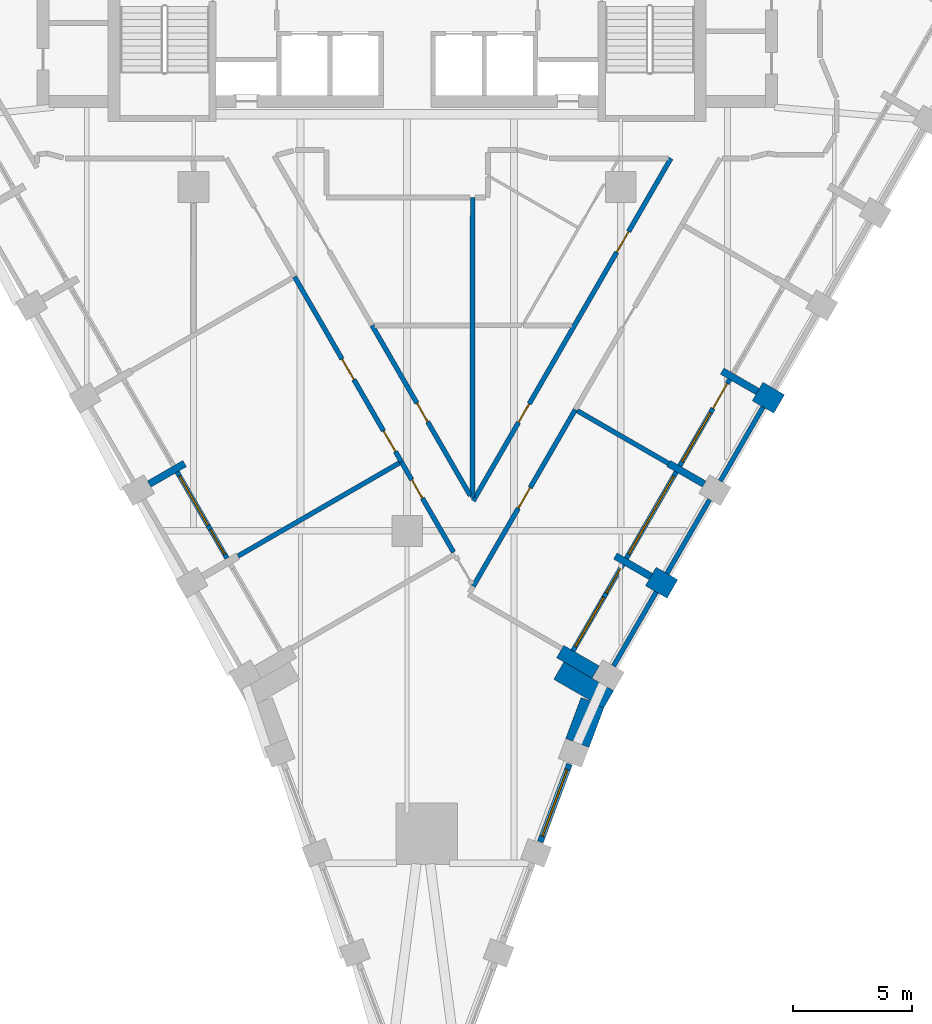
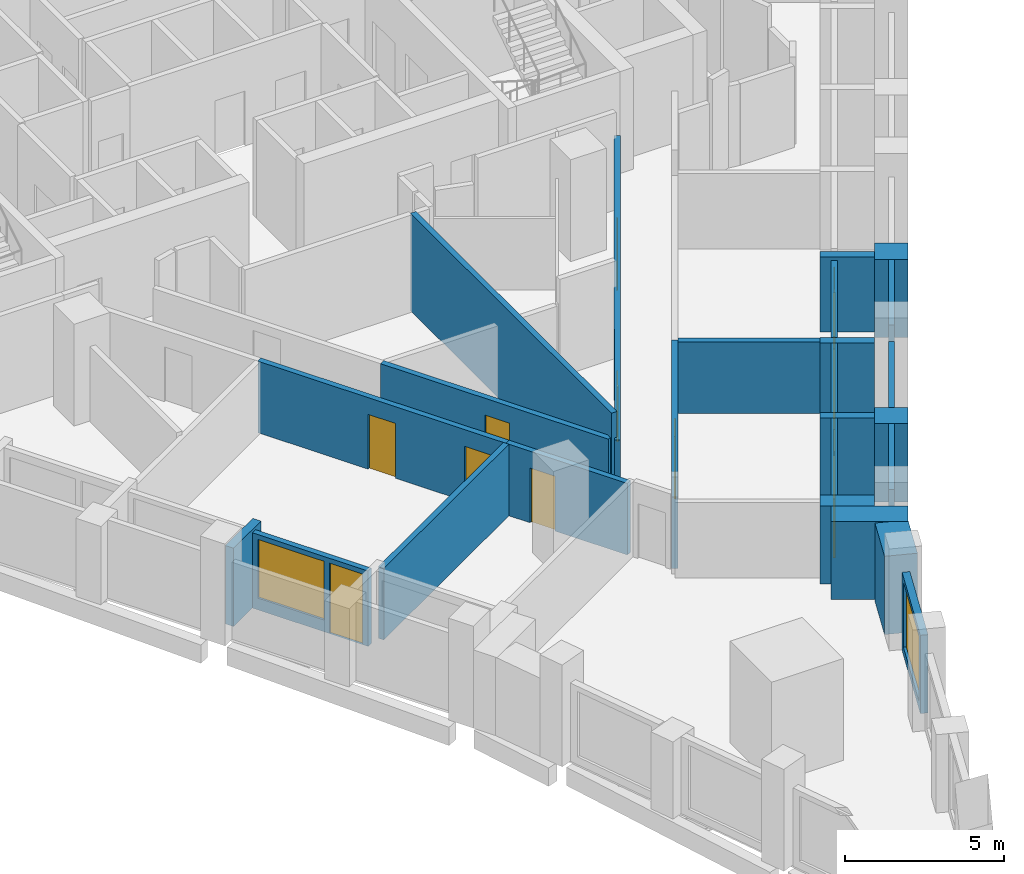
# One storey, part 3 of 9: 25 walls, 10 doors, 5 windows, 15 openings.
"""IFC4 building model written with IfcOpenShell, lengths in metres."""

from ifc_helpers import new_model, si_unit, direction, frame, frame_2d, origin, place, context, subcontext, project, spatial, polyline, rectangle, outline, extrude, material, layer, layer_set, type_object, element, fill, save


model = new_model("IFC4")

# Units and contexts
model_context = context("Model", 3, precision=1e-05, world=origin(), true_north=direction((0.0, 1.0)))
body_context = subcontext(model_context, "Body", "Model", "MODEL_VIEW")
ifc_project = project(units=[si_unit("LENGTHUNIT", "METRE"), si_unit("AREAUNIT", "SQUARE_METRE"), si_unit("VOLUMEUNIT", "CUBIC_METRE"), si_unit("PLANEANGLEUNIT", "RADIAN"), si_unit("MASSUNIT", "GRAM", prefix="KILO")], contexts=[model_context])

# Site, building, storey
site_placement = place(None, origin())
site = spatial("IfcSite", under=ifc_project, at=site_placement, CompositionType="ELEMENT")
building_placement = place(site_placement, origin())
building = spatial("IfcBuilding", under=site, at=building_placement, Name="Calabash Gate Tower", CompositionType="ELEMENT")
storey_placement = place(building_placement, frame((0.0, 0.0, 179.699951171875)))
storey = spatial("IfcBuildingStorey", under=building, at=storey_placement, Name="L42", CompositionType="ELEMENT", Elevation=179.699951171875)

# Walls
ifc_material_1 = material(Name="Terracotta brick masonry, exposed face", Category="masonry")
ifc_layer_1 = layer(ifc_material_1, 2.425048828125)
ifc_layer_set_1 = layer_set([ifc_layer_1], Name="Brick corner mass wall 2425")
wall_type_1 = type_object("IfcWallType", Name="Brick corner mass wall 2425", PredefinedType="SOLIDWALL", material=ifc_layer_set_1)
wall_1_placement = place(storey_placement, frame((8.489013671875, -19.102294921875, 0.0), z_axis=(0.0, 0.0, 1.0), x_axis=(-0.866041403502, 0.499972286653, 0.0)))
element("IfcWall", 1, at=wall_1_placement, inside=storey, type_object=wall_type_1, Name="Brick corner pier S12 2", PredefinedType="SOLIDWALL", context=body_context, shape_type="SweptSolid", body=[
    extrude(rectangle(XDim=2.425048828125, YDim=0.849609375, at=frame_2d((1.21240234375, 0.0))), origin(), (0.0, 0.0, 1.0), 3.0),
])
ifc_material_2 = material(Name="Terracotta brick masonry, exposed face", Category="masonry")
ifc_layer_2 = layer(ifc_material_2, 1.050048828125)
ifc_layer_set_2 = layer_set([ifc_layer_2], Name="Brick end wall 1050")
wall_type_2 = type_object("IfcWallType", Name="Brick end wall 1050", PredefinedType="SOLIDWALL", material=ifc_layer_set_2)
for number, where, z_axis, x_axis, name in (
    (2, (11.17626953125, -14.447509765625, 0.0), (0.0, 0.0, 1.0), (-0.866030680601, 0.499990860175, 0.0), "Brick pier S12 SE4.1"),
    (3, (15.67626953125, -6.6533203125, 0.0), (0.0, 0.0, 1.0), (-0.866030680601, 0.499990860175, 0.0), "Brick pier S12 SE4.3"),
):
    element("IfcWall", number, at=place(storey_placement, frame(where, z_axis=z_axis, x_axis=x_axis)), inside=storey, type_object=wall_type_2, Name=name, PredefinedType="SOLIDWALL", context=body_context, shape_type="SweptSolid", body=[
        extrude(rectangle(XDim=1.0498046875, YDim=0.89990234375, at=frame_2d((0.52490234375, 0.0))), origin(), (0.0, 0.0, 1.0), 3.0),
    ])
wall_2_placement = place(storey_placement, origin())
element("IfcWall", 4, at=wall_2_placement, inside=storey, type_object=wall_type_2, Name="Brick end wall S12 3", PredefinedType="SOLIDWALL", context=body_context, shape_type="SweptSolid", body=[
    extrude(outline(polyline([(7.330322265625, -19.023193359375), (6.68017578125, -20.753173828125), (7.6630859375, -21.12255859375), (8.298095703125, -19.432861328125), (8.276611328125, -19.47021484375), (7.82177734375, -19.207763671875), (7.330322265625, -19.023193359375)])), origin(), (0.0, 0.0, 1.0), 3.0),
])
ifc_material_3 = material(Name="Terracotta brick masonry, exposed face", Category="masonry")
ifc_layer_3 = layer(ifc_material_3, 0.300048828125)
ifc_layer_set_3 = layer_set([ifc_layer_3], Name="Brick loggia cheek wall 300")
wall_type_3 = type_object("IfcWallType", Name="Brick loggia cheek wall 300", PredefinedType="SOLIDWALL", material=ifc_layer_set_3)
wall_3_placement = place(storey_placement, frame((-9.37939453125, -9.1630859375, 0.0), z_axis=(0.0, 0.0, 1.0), x_axis=(-0.866074815912, -0.499914405916, 0.0)))
element("IfcWall", 5, at=wall_3_placement, inside=storey, type_object=wall_type_3, Name="Loggia cheek S12 SW0.6", PredefinedType="SOLIDWALL", context=body_context, shape_type="SweptSolid", body=[
    extrude(rectangle(XDim=1.724853515625, YDim=0.300048828125, at=frame_2d((0.8623046875, 0.0))), origin(), (0.0, 0.0, 1.0), 3.0),
])
wall_4_placement = place(storey_placement, frame((7.942138671875, -17.94970703125, 0.0), z_axis=(0.0, 0.0, 1.0), x_axis=(-0.866013532718, 0.500020560727, 0.0)))
element("IfcWall", 6, at=wall_4_placement, inside=storey, type_object=wall_type_3, Name="Loggia cheek S12 SE4.0", PredefinedType="SOLIDWALL", context=body_context, shape_type="SweptSolid", body=[
    extrude(rectangle(XDim=1.72509765625, YDim=0.60009765625, at=frame_2d((0.862548828125, 0.0))), origin(), (0.0, 0.0, 1.0), 3.0),
])
wall_5_placement = place(storey_placement, frame((10.26708984375, -13.922607421875, 0.0), z_axis=(0.0, 0.0, 1.0), x_axis=(-0.866013532718, 0.500020560727, 0.0)))
element("IfcWall", 7, at=wall_5_placement, inside=storey, type_object=wall_type_3, Name="Loggia cheek S12 SE4.1", PredefinedType="SOLIDWALL", context=body_context, shape_type="SweptSolid", body=[
    extrude(rectangle(XDim=1.72509765625, YDim=0.300048828125, at=frame_2d((0.862548828125, 0.0))), origin(), (0.0, 0.0, 1.0), 3.0),
])
wall_6_placement = place(storey_placement, frame((12.51708984375, -10.025634765625, 0.0), z_axis=(0.0, 0.0, 1.0), x_axis=(-0.866013532718, 0.500020560727, 0.0)))
element("IfcWall", 8, at=wall_6_placement, inside=storey, type_object=wall_type_3, Name="Loggia cheek S12 SE4.2", PredefinedType="SOLIDWALL", context=body_context, shape_type="SweptSolid", body=[
    extrude(rectangle(XDim=1.72509765625, YDim=0.300048828125, at=frame_2d((0.862548828125, 0.0))), origin(), (0.0, 0.0, 1.0), 2.74169921875),
])
wall_7_placement = place(storey_placement, frame((14.76708984375, -6.12841796875, 0.0), z_axis=(0.0, 0.0, 1.0), x_axis=(-0.866013532718, 0.500020560727, 0.0)))
element("IfcWall", 9, at=wall_7_placement, inside=storey, type_object=wall_type_3, Name="Loggia cheek S12 SE4.3", PredefinedType="SOLIDWALL", context=body_context, shape_type="SweptSolid", body=[
    extrude(rectangle(XDim=1.72509765625, YDim=0.300048828125, at=frame_2d((0.862548828125, 0.0))), origin(), (0.0, 0.0, 1.0), 2.884033203125),
])
ifc_material_4 = material(Name="Gypsum board on steel studs, mineral wool", Category="steel")
ifc_layer_4 = layer(ifc_material_4, 0.199951171875)
ifc_layer_set_4 = layer_set([ifc_layer_4], Name="Partition 200 gypsum board EI 60")
wall_type_4 = type_object("IfcWallType", Name="Partition 200 gypsum board EI 60", PredefinedType="PARTITIONING", material=ifc_layer_set_4)
wall_8_placement = place(storey_placement, frame((-7.12939453125, -13.060302734375, 0.0), z_axis=(0.0, 0.0, 1.0), x_axis=(0.866135346495, 0.499809525271, 0.0)))
element("IfcWall", 10, at=wall_8_placement, inside=storey, type_object=wall_type_4, Name="Partition", PredefinedType="PARTITIONING", context=body_context, shape_type="SweptSolid", body=[
    extrude(rectangle(XDim=7.84814453125, YDim=0.199951171875, at=frame_2d((3.924072265625, 0.0))), origin(), (0.0, 0.0, 1.0), 2.74169921875),
])

# Wall, openings, doors
wall_9_placement = place(storey_placement, frame((2.784912109375, -10.731689453125, 0.0), z_axis=(0.0, 0.0, 1.0), x_axis=(0.499820110187, 0.866129238309, 0.0)))
wall_9 = element("IfcWall", 11, at=wall_9_placement, inside=storey, type_object=wall_type_4, Name="Partition", PredefinedType="PARTITIONING", context=body_context, shape_type="SweptSolid", body=[
    extrude(rectangle(XDim=16.664306640625, YDim=0.199951171875, at=frame_2d((8.33203125, 0.0))), origin(), (0.0, 0.0, 1.0), 2.74169921875),
])
opening_1_placement = place(wall_9_placement, frame((3.817626953125, 0.0, 0.0)))
opening_1 = element("IfcOpeningElement", 12, at=opening_1_placement, cuts=wall_9, Name="Opening 42-44-008", PredefinedType="OPENING", context=body_context, shape_type="SweptSolid", body=[
    extrude(rectangle(XDim=0.89990234375, YDim=2.10009765625, at=frame_2d((0.449951171875, 1.050048828125))), frame((0.0, 0.10986328125, 0.0), z_axis=(0.0, -1.0, 0.0), x_axis=(1.0, 0.0, 0.0)), (0.0, 0.0, 1.0), 0.219970703125),
])
opening_2_placement = place(wall_9_placement, frame((12.099853515625, 0.0, 0.0)))
opening_2 = element("IfcOpeningElement", 13, at=opening_2_placement, cuts=wall_9, Name="Opening 42-44-014", PredefinedType="OPENING", context=body_context, shape_type="SweptSolid", body=[
    extrude(rectangle(XDim=1.0, YDim=2.10009765625, at=frame_2d((0.5, 1.050048828125))), frame((0.0, 0.10986328125, 0.0), z_axis=(0.0, -1.0, 0.0), x_axis=(1.0, 0.0, 0.0)), (0.0, 0.0, 1.0), 0.219970703125),
])
ifc_material_5 = material(Name="Steel fire door set with fire-resisting glazing", Category="steel")
door_type_1 = type_object("IfcDoorType", Name="SD3 Store door 900x2100", OperationType="NOTDEFINED", PredefinedType="DOOR", material=ifc_material_5)
door_1_placement = place(opening_1_placement, origin())
door_1 = element("IfcDoor", 14, at=door_1_placement, inside=storey, type_object=door_type_1, Name="Store door", OperationType="SINGLE_SWING_LEFT", OverallHeight=2.10009765625, OverallWidth=0.89990234375, PredefinedType="DOOR", context=body_context, shape_type="SweptSolid", body=[
    extrude(rectangle(XDim=0.89990234375, YDim=2.10009765625, at=frame_2d((0.449951171875, 1.050048828125))), frame((0.0, 0.02490234375, 0.0), z_axis=(0.0, -1.0, 0.0), x_axis=(1.0, 0.0, 0.0)), (0.0, 0.0, 1.0), 0.050048828125),
])
fill(opening_1, door_1)
ifc_material_6 = material(Name="Steel fire door set with fire-resisting glazing", Category="steel")
door_type_2 = type_object("IfcDoorType", Name="WD3 WC lobby door 1000x2100", OperationType="NOTDEFINED", PredefinedType="DOOR", material=ifc_material_6)
door_2_placement = place(opening_2_placement, origin())
door_2 = element("IfcDoor", 15, at=door_2_placement, inside=storey, type_object=door_type_2, Name="WC lobby door", OperationType="SINGLE_SWING_RIGHT", OverallHeight=2.10009765625, OverallWidth=1.0, PredefinedType="DOOR", context=body_context, shape_type="SweptSolid", body=[
    extrude(rectangle(XDim=1.0, YDim=2.10009765625, at=frame_2d((0.5, 1.050048828125))), frame((0.0, 0.02490234375, 0.0), z_axis=(0.0, -1.0, 0.0), x_axis=(1.0, 0.0, 0.0)), (0.0, 0.0, 1.0), 0.050048828125),
])
fill(opening_2, door_2)

wall_10_placement = place(storey_placement, frame((-4.746337890625, -1.2919921875, 0.0), z_axis=(0.0, 0.0, 1.0), x_axis=(0.5000018851, -0.866024315419, 0.0)))
wall_10 = element("IfcWall", 16, at=wall_10_placement, inside=storey, type_object=wall_type_4, Name="Partition", PredefinedType="PARTITIONING", context=body_context, shape_type="SweptSolid", body=[
    extrude(rectangle(XDim=9.0, YDim=0.199951171875, at=frame_2d((4.5, 0.0))), origin(), (0.0, 0.0, 1.0), 2.74169921875),
])
opening_3_placement = place(wall_10_placement, frame((4.0, 0.0, 0.0)))
opening_3 = element("IfcOpeningElement", 17, at=opening_3_placement, cuts=wall_10, Name="Opening 42-44-001", PredefinedType="OPENING", context=body_context, shape_type="SweptSolid", body=[
    extrude(rectangle(XDim=1.0, YDim=2.10009765625, at=frame_2d((0.5, 1.050048828125))), frame((0.0, 0.10986328125, 0.0), z_axis=(0.0, -1.0, 0.0), x_axis=(1.0, 0.0, 0.0)), (0.0, 0.0, 1.0), 0.219970703125),
])
opening_4_placement = place(wall_10_placement, frame((7.501708984375, 0.0, 0.0)))
opening_4 = element("IfcOpeningElement", 18, at=opening_4_placement, cuts=wall_10, Name="Opening 42-44-002", PredefinedType="OPENING", context=body_context, shape_type="SweptSolid", body=[
    extrude(rectangle(XDim=1.0, YDim=2.10009765625, at=frame_2d((0.5, 1.050048828125))), frame((0.0, 0.10986328125, 0.0), z_axis=(0.0, -1.0, 0.0), x_axis=(1.0, 0.0, 0.0)), (0.0, 0.0, 1.0), 0.219970703125),
])
ifc_material_7 = material(Name="Steel fire door set with fire-resisting glazing", Category="steel")
door_type_3 = type_object("IfcDoorType", Name="LD2 Meeting room door 1000x2100", OperationType="NOTDEFINED", PredefinedType="DOOR", material=ifc_material_7)
door_3_placement = place(opening_3_placement, origin())
door_3 = element("IfcDoor", 19, at=door_3_placement, inside=storey, type_object=door_type_3, Name="Meeting room door", OperationType="SINGLE_SWING_RIGHT", OverallHeight=2.10009765625, OverallWidth=1.0, PredefinedType="DOOR", context=body_context, shape_type="SweptSolid", body=[
    extrude(rectangle(XDim=1.0, YDim=2.10009765625, at=frame_2d((0.5, 1.050048828125))), frame((0.0, 0.02490234375, 0.0), z_axis=(0.0, -1.0, 0.0), x_axis=(1.0, 0.0, 0.0)), (0.0, 0.0, 1.0), 0.050048828125),
])
fill(opening_3, door_3)
door_4_placement = place(opening_4_placement, origin())
door_4 = element("IfcDoor", 20, at=door_4_placement, inside=storey, type_object=door_type_3, Name="Meeting room door", OperationType="SINGLE_SWING_RIGHT", OverallHeight=2.10009765625, OverallWidth=1.0, PredefinedType="DOOR", context=body_context, shape_type="SweptSolid", body=[
    extrude(rectangle(XDim=1.0, YDim=2.10009765625, at=frame_2d((0.5, 1.050048828125))), frame((0.0, 0.02490234375, 0.0), z_axis=(0.0, -1.0, 0.0), x_axis=(1.0, 0.0, 0.0)), (0.0, 0.0, 1.0), 0.050048828125),
])
fill(opening_4, door_4)

# Wall, opening, door
wall_11_placement = place(storey_placement, frame((-0.245361328125, -9.087890625, 0.0), z_axis=(0.0, 0.0, 1.0), x_axis=(0.500013981145, -0.866017331616, 0.0)))
wall_11 = element("IfcWall", 21, at=wall_11_placement, inside=storey, type_object=wall_type_4, Name="Partition", PredefinedType="PARTITIONING", context=body_context, shape_type="SweptSolid", body=[
    extrude(rectangle(XDim=4.397705078125, YDim=0.199951171875, at=frame_2d((2.19873046875, 0.0))), origin(), (0.0, 0.0, 1.0), 2.74169921875),
])
opening_5_placement = place(wall_11_placement, frame((0.871337890625, 0.0, 0.0)))
opening_5 = element("IfcOpeningElement", 22, at=opening_5_placement, cuts=wall_11, Name="Opening 42-44-003", PredefinedType="OPENING", context=body_context, shape_type="SweptSolid", body=[
    extrude(rectangle(XDim=0.89990234375, YDim=2.10009765625, at=frame_2d((0.449951171875, 1.050048828125))), frame((0.0, 0.10986328125, 0.0), z_axis=(0.0, -1.0, 0.0), x_axis=(1.0, 0.0, 0.0)), (0.0, 0.0, 1.0), 0.219970703125),
])
door_5_placement = place(opening_5_placement, origin())
door_5 = element("IfcDoor", 23, at=door_5_placement, inside=storey, type_object=door_type_1, Name="Store door", OperationType="SINGLE_SWING_RIGHT", OverallHeight=2.10009765625, OverallWidth=0.89990234375, PredefinedType="DOOR", context=body_context, shape_type="SweptSolid", body=[
    extrude(rectangle(XDim=0.89990234375, YDim=2.10009765625, at=frame_2d((0.449951171875, 1.050048828125))), frame((0.0, 0.02490234375, 0.0), z_axis=(0.0, -1.0, 0.0), x_axis=(1.0, 0.0, 0.0)), (0.0, 0.0, 1.0), 0.050048828125),
])
fill(opening_5, door_5)

# Wall
wall_12_placement = place(storey_placement, frame((7.17041015625, -6.936279296875, 0.0), z_axis=(0.0, 0.0, 1.0), x_axis=(0.865815424907, -0.500363517848, 0.0)))
element("IfcWall", 24, at=wall_12_placement, inside=storey, type_object=wall_type_4, Name="Partition", PredefinedType="PARTITIONING", context=body_context, shape_type="SweptSolid", body=[
    extrude(rectangle(XDim=4.449951171875, YDim=0.199951171875, at=frame_2d((2.22509765625, 0.0))), origin(), (0.0, 0.0, 1.0), 2.74169921875),
])

# Wall, opening, door
wall_13_placement = place(storey_placement, frame((2.784423828125, -14.332763671875, 0.0), z_axis=(0.0, 0.0, 1.0), x_axis=(0.500204257301, 0.865907443656, 0.0)))
wall_13 = element("IfcWall", 25, at=wall_13_placement, inside=storey, type_object=wall_type_4, Name="Partition", PredefinedType="PARTITIONING", context=body_context, shape_type="SweptSolid", body=[
    extrude(rectangle(XDim=8.5966796875, YDim=0.199951171875, at=frame_2d((4.29833984375, 0.0))), origin(), (0.0, 0.0, 1.0), 2.74169921875),
])
opening_6_placement = place(wall_13_placement, frame((3.798583984375, 0.0, 0.0)))
opening_6 = element("IfcOpeningElement", 26, at=opening_6_placement, cuts=wall_13, Name="Opening 42-44-004", PredefinedType="OPENING", context=body_context, shape_type="SweptSolid", body=[
    extrude(rectangle(XDim=1.0, YDim=2.39990234375, at=frame_2d((0.5, 1.199951171875))), frame((0.0, 0.10986328125, 0.0), z_axis=(0.0, -1.0, 0.0), x_axis=(1.0, 0.0, 0.0)), (0.0, 0.0, 1.0), 0.219970703125),
])
ifc_material_8 = material(Name="Painted timber door", Category="wood")
door_type_4 = type_object("IfcDoorType", Name="OD2 Glazed office door 1000x2400", OperationType="NOTDEFINED", PredefinedType="DOOR", material=ifc_material_8)
door_6_placement = place(opening_6_placement, origin())
door_6 = element("IfcDoor", 27, at=door_6_placement, inside=storey, type_object=door_type_4, Name="Glazed office door", OperationType="SINGLE_SWING_LEFT", OverallHeight=2.39990234375, OverallWidth=1.0, PredefinedType="DOOR", context=body_context, shape_type="SweptSolid", body=[
    extrude(rectangle(XDim=1.0, YDim=2.39990234375, at=frame_2d((0.5, 1.199951171875))), frame((0.0, 0.02490234375, 0.0), z_axis=(0.0, -1.0, 0.0), x_axis=(1.0, 0.0, 0.0)), (0.0, 0.0, 1.0), 0.050048828125),
])
fill(opening_6, door_6)

wall_14_placement = place(storey_placement, frame((-1.479736328125, -3.341796875, 0.0), z_axis=(0.0, 0.0, 1.0), x_axis=(0.499828066166, -0.866124647076, 0.0)))
wall_14 = element("IfcWall", 28, at=wall_14_placement, inside=storey, type_object=wall_type_4, Name="Partition", PredefinedType="PARTITIONING", context=body_context, shape_type="SweptSolid", body=[
    extrude(rectangle(XDim=8.271484375, YDim=0.199951171875, at=frame_2d((4.1357421875, 0.0))), origin(), (0.0, 0.0, 1.0), 2.74169921875),
])
opening_7_placement = place(wall_14_placement, frame((3.783935546875, 0.0, 0.0)))
opening_7 = element("IfcOpeningElement", 29, at=opening_7_placement, cuts=wall_14, Name="Opening 42-44-007", PredefinedType="OPENING", context=body_context, shape_type="SweptSolid", body=[
    extrude(rectangle(XDim=0.89990234375, YDim=2.10009765625, at=frame_2d((0.449951171875, 1.050048828125))), frame((0.0, 0.10986328125, 0.0), z_axis=(0.0, -1.0, 0.0), x_axis=(1.0, 0.0, 0.0)), (0.0, 0.0, 1.0), 0.219970703125),
])
door_7_placement = place(opening_7_placement, origin())
door_7 = element("IfcDoor", 30, at=door_7_placement, inside=storey, type_object=door_type_1, Name="Store door", OperationType="SINGLE_SWING_RIGHT", OverallHeight=2.10009765625, OverallWidth=0.89990234375, PredefinedType="DOOR", context=body_context, shape_type="SweptSolid", body=[
    extrude(rectangle(XDim=0.89990234375, YDim=2.10009765625, at=frame_2d((0.449951171875, 1.050048828125))), frame((0.0, 0.02490234375, 0.0), z_axis=(0.0, -1.0, 0.0), x_axis=(1.0, 0.0, 0.0)), (0.0, 0.0, 1.0), 0.050048828125),
])
fill(opening_7, door_7)

# Wall
wall_15_placement = place(storey_placement, frame((2.75439453125, -10.58447265625, 0.0), z_axis=(0.0, 0.0, 1.0), x_axis=(0.00025119316, 0.999999968451, 0.0)))
element("IfcWall", 31, at=wall_15_placement, inside=storey, type_object=wall_type_4, Name="Partition", PredefinedType="PARTITIONING", context=body_context, shape_type="SweptSolid", body=[
    extrude(rectangle(XDim=12.635009765625, YDim=0.199951171875, at=frame_2d((6.3173828125, 0.0))), origin(), (0.0, 0.0, 1.0), 3.72998046875),
])

# Wall, opening, window
ifc_material_9 = material(Name="Aluminium framed window wall with insulated spandrel", Category="aluminium")
ifc_layer_5 = layer(ifc_material_9, 0.25)
ifc_layer_set_5 = layer_set([ifc_layer_5], Name="Prow window wall 250")
wall_type_5 = type_object("IfcWallType", Name="Prow window wall 250", PredefinedType="ELEMENTEDWALL", material=ifc_layer_set_5)
wall_16_placement = place(storey_placement, frame((5.60595703125, -25.103271484375, 0.0), z_axis=(0.0, 0.0, 1.0), x_axis=(0.351849563443, 0.936056560634, 0.0)))
wall_16 = element("IfcWall", 32, at=wall_16_placement, inside=storey, type_object=wall_type_5, Name="Prow window wall S12 wedge3.3", PredefinedType="ELEMENTEDWALL", context=body_context, shape_type="SweptSolid", body=[
    extrude(rectangle(XDim=3.5, YDim=0.25, at=frame_2d((1.75, 0.0))), origin(), (0.0, 0.0, 1.0), 3.0),
])
opening_8_placement = place(wall_16_placement, frame((0.25, 0.0, 0.300048828125)))
opening_8 = element("IfcOpeningElement", 33, at=opening_8_placement, cuts=wall_16, Name="Opening WP2", PredefinedType="OPENING", context=body_context, shape_type="SweptSolid", body=[
    extrude(rectangle(XDim=3.0, YDim=2.5, at=frame_2d((1.5, 1.25))), frame((0.0, 0.135009765625, 0.0), z_axis=(0.0, -1.0, 0.0), x_axis=(1.0, 0.0, 0.0)), (0.0, 0.0, 1.0), 0.27001953125),
])
ifc_material_10 = material(Name="Anodised aluminium frame, bronze finish, impact-rated laminated clear glazing", Category="aluminium")
window_type_1 = type_object("IfcWindowType", Name="Window WP2 3000x2500", PartitioningType="DOUBLE_PANEL_VERTICAL", PredefinedType="WINDOW", material=ifc_material_10)
window_1_placement = place(opening_8_placement, origin())
window_1 = element("IfcWindow", 34, at=window_1_placement, inside=storey, type_object=window_type_1, Name="Prow window WP2 S12 wedge3.3", OverallHeight=2.5, OverallWidth=3.0, PartitioningType="SINGLE_PANEL", PredefinedType="WINDOW", context=body_context, shape_type="SweptSolid", body=[
    extrude(rectangle(XDim=3.0, YDim=2.5, at=frame_2d((1.5, 1.25))), frame((0.0, 0.030029296875, 0.0), z_axis=(0.0, -1.0, 0.0), x_axis=(1.0, 0.0, 0.0)), (0.0, 0.0, 1.0), 0.06005859375),
])
fill(opening_8, window_1)

# Walls
ifc_material_11 = material(Name="Terracotta brick masonry, perforated", Category="masonry")
ifc_layer_6 = layer(ifc_material_11, 0.199951171875)
ifc_layer_set_6 = layer_set([ifc_layer_6], Name="Terracotta jaali screen B")
wall_type_6 = type_object("IfcWallType", Name="Terracotta jaali screen B", PredefinedType="SOLIDWALL", material=ifc_layer_set_6)
for number, where, z_axis, x_axis, name in (
    (35, (8.69677734375, -17.692626953125, 0.0), (0.0, 0.0, 1.0), (0.499961193289, 0.866047807691, 0.0), "SCREEN B S12 SE4.1"),
    (36, (10.94677734375, -13.79541015625, 0.0), (0.0, 0.0, 1.0), (0.499961193289, 0.866047807691, 0.0), "SCREEN B S12 SE4.2"),
    (37, (13.19677734375, -9.898193359375, 0.0), (0.0, 0.0, 1.0), (0.499961193289, 0.866047807691, 0.0), "SCREEN B S12 SE4.3"),
):
    element("IfcWall", number, at=place(storey_placement, frame(where, z_axis=z_axis, x_axis=x_axis)), inside=storey, type_object=wall_type_6, Name=name, PredefinedType="SOLIDWALL", context=body_context, shape_type="SweptSolid", body=[
        extrude(rectangle(XDim=3.599853515625, YDim=0.199951171875, at=frame_2d((1.7998046875, 0.0))), origin(), (0.0, 0.0, 1.0), 3.0),
    ])

# Wall, openings, door, window
ifc_material_12 = material(Name="Aluminium framed window wall with insulated spandrel", Category="aluminium")
ifc_layer_7 = layer(ifc_material_12, 0.199951171875)
ifc_layer_set_7 = layer_set([ifc_layer_7], Name="Window wall 200")
wall_type_7 = type_object("IfcWallType", Name="Window wall 200", PredefinedType="ELEMENTEDWALL", material=ifc_layer_set_7)
wall_17_placement = place(storey_placement, frame((-9.694091796875, -9.517822265625, 0.0), z_axis=(0.0, 0.0, 1.0), x_axis=(0.499958946799, -0.866049104564, 0.0)))
wall_17 = element("IfcWall", 38, at=wall_17_placement, inside=storey, type_object=wall_type_7, Name="Window wall S12 SW0.7", PredefinedType="ELEMENTEDWALL", context=body_context, shape_type="SweptSolid", body=[
    extrude(rectangle(XDim=4.199951171875, YDim=0.199951171875, at=frame_2d((2.10009765625, 0.0))), origin(), (0.0, 0.0, 1.0), 2.884033203125),
])
opening_9_placement = place(wall_17_placement, frame((0.199951171875, 0.0, 0.449951171875)))
opening_9 = element("IfcOpeningElement", 39, at=opening_9_placement, cuts=wall_17, Name="Opening OW1", PredefinedType="OPENING", context=body_context, shape_type="SweptSolid", body=[
    extrude(rectangle(XDim=2.39990234375, YDim=2.25, at=frame_2d((1.199951171875, 1.125))), frame((0.0, 0.10986328125, 0.0), z_axis=(0.0, -1.0, 0.0), x_axis=(1.0, 0.0, 0.0)), (0.0, 0.0, 1.0), 0.219970703125),
])
opening_10_placement = place(wall_17_placement, frame((2.800048828125, 0.0, 0.0)))
opening_10 = element("IfcOpeningElement", 40, at=opening_10_placement, cuts=wall_17, Name="Opening O4-028", PredefinedType="OPENING", context=body_context, shape_type="SweptSolid", body=[
    extrude(rectangle(XDim=1.199951171875, YDim=2.699951171875, at=frame_2d((0.60009765625, 1.35009765625))), frame((0.0, 0.10986328125, 0.0), z_axis=(0.0, -1.0, 0.0), x_axis=(1.0, 0.0, 0.0)), (0.0, 0.0, 1.0), 0.219970703125),
])
ifc_material_13 = material(Name="Anodised aluminium frame, bronze finish, impact-rated laminated clear glazing", Category="aluminium")
door_type_5 = type_object("IfcDoorType", Name="Loggia door DO1 1200x2700", OperationType="SLIDING_TO_LEFT", PredefinedType="DOOR", material=ifc_material_13)
door_8_placement = place(opening_10_placement, origin())
door_8 = element("IfcDoor", 41, at=door_8_placement, inside=storey, type_object=door_type_5, Name="Loggia door S12 SW0.7", OperationType="SINGLE_SWING_LEFT", OverallHeight=2.699951171875, OverallWidth=1.199951171875, PredefinedType="DOOR", context=body_context, shape_type="SweptSolid", body=[
    extrude(rectangle(XDim=1.199951171875, YDim=2.699951171875, at=frame_2d((0.60009765625, 1.35009765625))), frame((0.0, 0.02490234375, 0.0), z_axis=(0.0, -1.0, 0.0), x_axis=(1.0, 0.0, 0.0)), (0.0, 0.0, 1.0), 0.050048828125),
])
fill(opening_10, door_8)
ifc_material_14 = material(Name="Anodised aluminium frame, bronze finish, impact-rated laminated clear glazing", Category="aluminium")
window_type_2 = type_object("IfcWindowType", Name="Window OW1 2400x2250", PartitioningType="DOUBLE_PANEL_VERTICAL", PredefinedType="WINDOW", material=ifc_material_14)
window_2_placement = place(opening_9_placement, origin())
window_2 = element("IfcWindow", 42, at=window_2_placement, inside=storey, type_object=window_type_2, Name="Window OW1 S12 SW0.7", OverallHeight=2.25, OverallWidth=2.39990234375, PartitioningType="SINGLE_PANEL", PredefinedType="WINDOW", context=body_context, shape_type="SweptSolid", body=[
    extrude(rectangle(XDim=2.39990234375, YDim=2.25, at=frame_2d((1.199951171875, 1.125))), frame((0.0, 0.030029296875, 0.0), z_axis=(0.0, -1.0, 0.0), x_axis=(1.0, 0.0, 0.0)), (0.0, 0.0, 1.0), 0.06005859375),
])
fill(opening_9, window_2)

wall_18_placement = place(storey_placement, frame((6.98779296875, -17.05224609375, 0.0), z_axis=(0.0, 0.0, 1.0), x_axis=(0.500027713859, 0.866009402589, 0.0)))
wall_18 = element("IfcWall", 43, at=wall_18_placement, inside=storey, type_object=wall_type_7, Name="Window wall S12 SE4.1", PredefinedType="ELEMENTEDWALL", context=body_context, shape_type="SweptSolid", body=[
    extrude(rectangle(XDim=4.199951171875, YDim=0.199951171875, at=frame_2d((2.10009765625, 0.0))), origin(), (0.0, 0.0, 1.0), 3.0),
])
opening_11_placement = place(wall_18_placement, frame((0.199951171875, 0.0, 0.449951171875)))
opening_11 = element("IfcOpeningElement", 44, at=opening_11_placement, cuts=wall_18, Name="Opening OW1", PredefinedType="OPENING", context=body_context, shape_type="SweptSolid", body=[
    extrude(rectangle(XDim=2.39990234375, YDim=2.25, at=frame_2d((1.199951171875, 1.125))), frame((0.0, 0.10986328125, 0.0), z_axis=(0.0, -1.0, 0.0), x_axis=(1.0, 0.0, 0.0)), (0.0, 0.0, 1.0), 0.219970703125),
])
opening_12_placement = place(wall_18_placement, frame((2.800048828125, 0.0, 0.0)))
opening_12 = element("IfcOpeningElement", 45, at=opening_12_placement, cuts=wall_18, Name="Opening O4-021", PredefinedType="OPENING", context=body_context, shape_type="SweptSolid", body=[
    extrude(rectangle(XDim=1.199951171875, YDim=2.699951171875, at=frame_2d((0.60009765625, 1.35009765625))), frame((0.0, 0.10986328125, 0.0), z_axis=(0.0, -1.0, 0.0), x_axis=(1.0, 0.0, 0.0)), (0.0, 0.0, 1.0), 0.219970703125),
])
door_9_placement = place(opening_12_placement, origin())
door_9 = element("IfcDoor", 46, at=door_9_placement, inside=storey, type_object=door_type_5, Name="Loggia door S12 SE4.1", OperationType="SINGLE_SWING_LEFT", OverallHeight=2.699951171875, OverallWidth=1.199951171875, PredefinedType="DOOR", context=body_context, shape_type="SweptSolid", body=[
    extrude(rectangle(XDim=1.199951171875, YDim=2.699951171875, at=frame_2d((0.60009765625, 1.35009765625))), frame((0.0, 0.02490234375, 0.0), z_axis=(0.0, -1.0, 0.0), x_axis=(1.0, 0.0, 0.0)), (0.0, 0.0, 1.0), 0.050048828125),
])
fill(opening_12, door_9)
window_3_placement = place(opening_11_placement, origin())
window_3 = element("IfcWindow", 47, at=window_3_placement, inside=storey, type_object=window_type_2, Name="Window OW1 S12 SE4.1", OverallHeight=2.25, OverallWidth=2.39990234375, PartitioningType="SINGLE_PANEL", PredefinedType="WINDOW", context=body_context, shape_type="SweptSolid", body=[
    extrude(rectangle(XDim=2.39990234375, YDim=2.25, at=frame_2d((1.199951171875, 1.125))), frame((0.0, 0.030029296875, 0.0), z_axis=(0.0, -1.0, 0.0), x_axis=(1.0, 0.0, 0.0)), (0.0, 0.0, 1.0), 0.06005859375),
])
fill(opening_11, window_3)

# Wall, opening, window
wall_19_placement = place(storey_placement, frame((9.23779296875, -13.1552734375, 0.0), z_axis=(0.0, 0.0, 1.0), x_axis=(0.500002543286, 0.866023935413, 0.0)))
wall_19 = element("IfcWall", 48, at=wall_19_placement, inside=storey, type_object=wall_type_7, Name="Window wall S12 SE4.2", PredefinedType="ELEMENTEDWALL", context=body_context, shape_type="SweptSolid", body=[
    extrude(rectangle(XDim=4.2001953125, YDim=0.199951171875, at=frame_2d((2.10009765625, 0.0))), origin(), (0.0, 0.0, 1.0), 2.74169921875),
])
opening_13_placement = place(wall_19_placement, frame((0.199951171875, 0.0, 0.449951171875)))
opening_13 = element("IfcOpeningElement", 49, at=opening_13_placement, cuts=wall_19, Name="Opening OW2L-2190", PredefinedType="OPENING", context=body_context, shape_type="SweptSolid", body=[
    extrude(rectangle(XDim=3.800048828125, YDim=2.18994140625, at=frame_2d((1.89990234375, 1.094970703125))), frame((0.0, 0.10986328125, 0.0), z_axis=(0.0, -1.0, 0.0), x_axis=(1.0, 0.0, 0.0)), (0.0, 0.0, 1.0), 0.219970703125),
])
ifc_material_15 = material(Name="Anodised aluminium frame, bronze finish, impact-rated laminated clear glazing", Category="aluminium")
window_type_3 = type_object("IfcWindowType", Name="Window OW2L 3800x2190", PartitioningType="TRIPLE_PANEL_VERTICAL", PredefinedType="WINDOW", material=ifc_material_15)
window_4_placement = place(opening_13_placement, origin())
window_4 = element("IfcWindow", 50, at=window_4_placement, inside=storey, type_object=window_type_3, Name="Window OW2 S12 SE4.2", OverallHeight=2.18994140625, OverallWidth=3.800048828125, PartitioningType="SINGLE_PANEL", PredefinedType="WINDOW", context=body_context, shape_type="SweptSolid", body=[
    extrude(rectangle(XDim=3.800048828125, YDim=2.18994140625, at=frame_2d((1.89990234375, 1.094970703125))), frame((0.0, 0.030029296875, 0.0), z_axis=(0.0, -1.0, 0.0), x_axis=(1.0, 0.0, 0.0)), (0.0, 0.0, 1.0), 0.06005859375),
])
fill(opening_13, window_4)

# Wall, openings, door, window
wall_20_placement = place(storey_placement, frame((11.48779296875, -9.258056640625, 0.0), z_axis=(0.0, 0.0, 1.0), x_axis=(0.500027713859, 0.866009402589, 0.0)))
wall_20 = element("IfcWall", 51, at=wall_20_placement, inside=storey, type_object=wall_type_7, Name="Window wall S12 SE4.3", PredefinedType="ELEMENTEDWALL", context=body_context, shape_type="SweptSolid", body=[
    extrude(rectangle(XDim=4.199951171875, YDim=0.199951171875, at=frame_2d((2.10009765625, 0.0))), origin(), (0.0, 0.0, 1.0), 2.74169921875),
])
opening_14_placement = place(wall_20_placement, frame((0.199951171875, 0.0, 0.449951171875)))
opening_14 = element("IfcOpeningElement", 52, at=opening_14_placement, cuts=wall_20, Name="Opening OW1L-2190", PredefinedType="OPENING", context=body_context, shape_type="SweptSolid", body=[
    extrude(rectangle(XDim=2.39990234375, YDim=2.18994140625, at=frame_2d((1.199951171875, 1.094970703125))), frame((0.0, 0.10986328125, 0.0), z_axis=(0.0, -1.0, 0.0), x_axis=(1.0, 0.0, 0.0)), (0.0, 0.0, 1.0), 0.219970703125),
])
opening_15_placement = place(wall_20_placement, frame((2.800048828125, 0.0, 0.0)))
opening_15 = element("IfcOpeningElement", 53, at=opening_15_placement, cuts=wall_20, Name="Opening O4-022", PredefinedType="OPENING", context=body_context, shape_type="SweptSolid", body=[
    extrude(rectangle(XDim=1.199951171875, YDim=2.639892578125, at=frame_2d((0.60009765625, 1.31982421875))), frame((0.0, 0.10986328125, 0.0), z_axis=(0.0, -1.0, 0.0), x_axis=(1.0, 0.0, 0.0)), (0.0, 0.0, 1.0), 0.219970703125),
])
ifc_material_16 = material(Name="Anodised aluminium frame, bronze finish, impact-rated laminated clear glazing", Category="aluminium")
door_type_6 = type_object("IfcDoorType", Name="Loggia door DO1L-2640 1200x2640", OperationType="SLIDING_TO_LEFT", PredefinedType="DOOR", material=ifc_material_16)
door_10_placement = place(opening_15_placement, origin())
door_10 = element("IfcDoor", 54, at=door_10_placement, inside=storey, type_object=door_type_6, Name="Loggia door S12 SE4.3", OperationType="SINGLE_SWING_LEFT", OverallHeight=2.639892578125, OverallWidth=1.199951171875, PredefinedType="DOOR", context=body_context, shape_type="SweptSolid", body=[
    extrude(rectangle(XDim=1.199951171875, YDim=2.639892578125, at=frame_2d((0.60009765625, 1.31982421875))), frame((0.0, 0.02490234375, 0.0), z_axis=(0.0, -1.0, 0.0), x_axis=(1.0, 0.0, 0.0)), (0.0, 0.0, 1.0), 0.050048828125),
])
fill(opening_15, door_10)
ifc_material_17 = material(Name="Anodised aluminium frame, bronze finish, impact-rated laminated clear glazing", Category="aluminium")
window_type_4 = type_object("IfcWindowType", Name="Window OW1L 2400x2190", PartitioningType="DOUBLE_PANEL_VERTICAL", PredefinedType="WINDOW", material=ifc_material_17)
window_5_placement = place(opening_14_placement, origin())
window_5 = element("IfcWindow", 55, at=window_5_placement, inside=storey, type_object=window_type_4, Name="Window OW1 S12 SE4.3", OverallHeight=2.18994140625, OverallWidth=2.39990234375, PartitioningType="SINGLE_PANEL", PredefinedType="WINDOW", context=body_context, shape_type="SweptSolid", body=[
    extrude(rectangle(XDim=2.39990234375, YDim=2.18994140625, at=frame_2d((1.199951171875, 1.094970703125))), frame((0.0, 0.030029296875, 0.0), z_axis=(0.0, -1.0, 0.0), x_axis=(1.0, 0.0, 0.0)), (0.0, 0.0, 1.0), 0.06005859375),
])
fill(opening_14, window_5)

save(model, "model.ifc")
